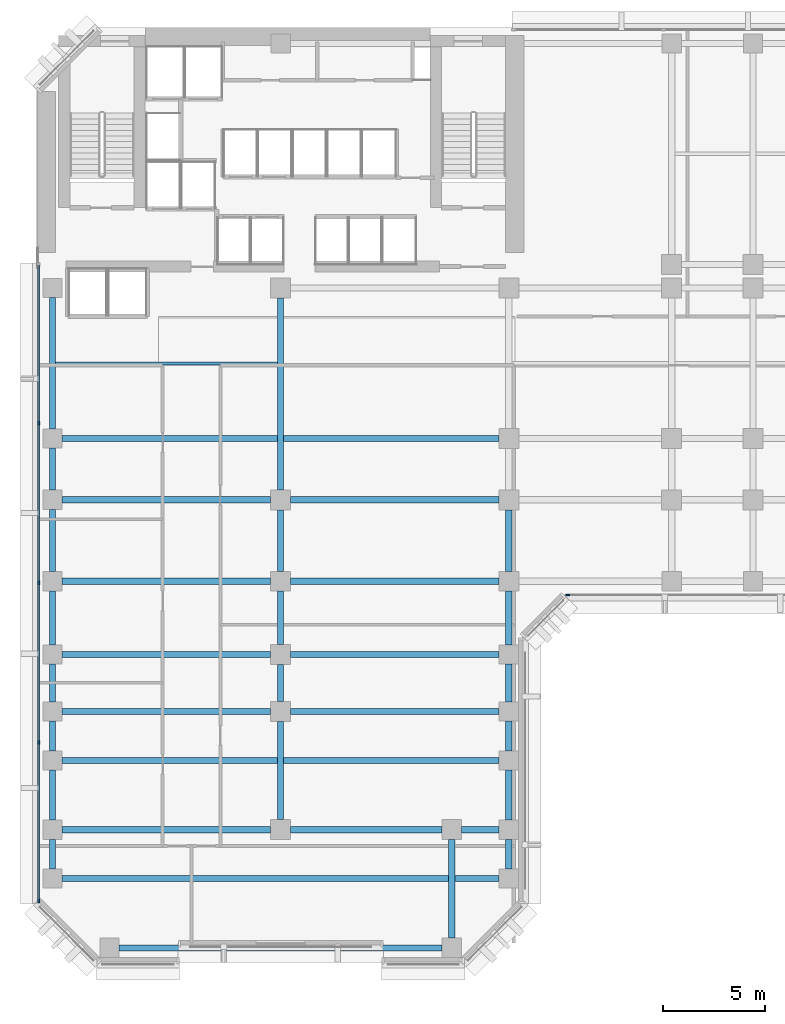
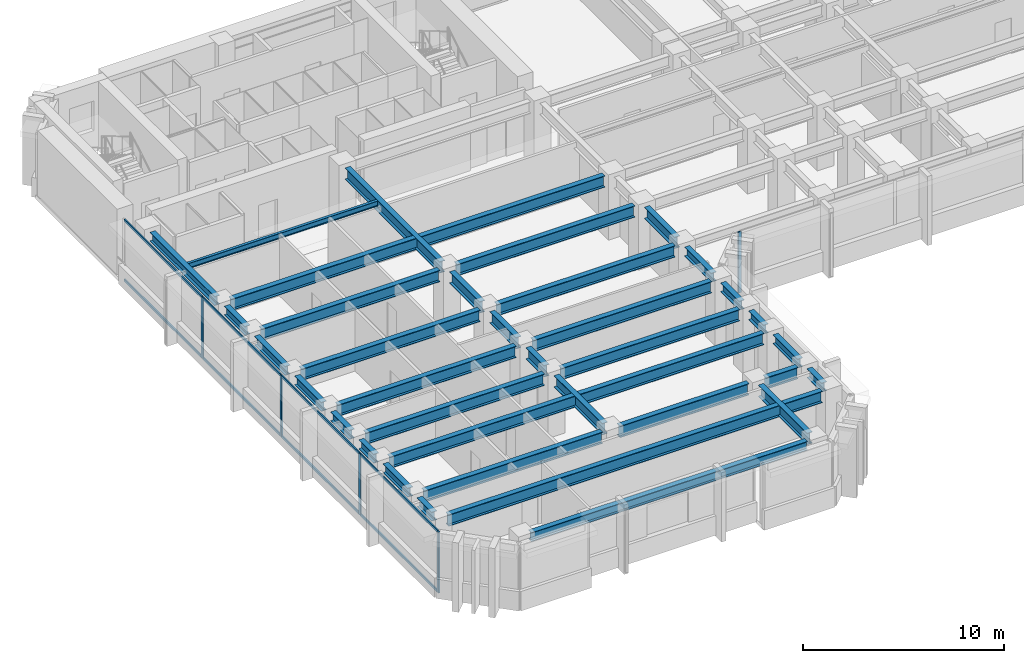
# One storey, part 2 of 13: 36 beams, 13 members, 2 elements without a shape of their own.
"""IFC4 building model written with IfcOpenShell, lengths in metres."""

from ifc_helpers import new_model, si_unit, direction, frame, origin, origin_2d, place, context, subcontext, project, spatial, rectangle, i_section, extrude, material, layer, layer_set, material_profile, profile_set, type_object, element, aggregate, save


model = new_model("IFC4")

# Units and contexts
model_context = context("Model", 3, precision=1e-05, world=origin(), true_north=direction((0.0, 1.0)))
body_context = subcontext(model_context, "Body", "Model", "MODEL_VIEW")
ifc_project = project(units=[si_unit("LENGTHUNIT", "METRE"), si_unit("AREAUNIT", "SQUARE_METRE"), si_unit("VOLUMEUNIT", "CUBIC_METRE"), si_unit("PLANEANGLEUNIT", "RADIAN"), si_unit("MASSUNIT", "GRAM", prefix="KILO")], contexts=[model_context])

# Site, building, storey
site_placement = place(None, origin())
site = spatial("IfcSite", under=ifc_project, at=site_placement, CompositionType="ELEMENT")
building_placement = place(site_placement, origin())
building = spatial("IfcBuilding", under=site, at=building_placement, Name="Kefirva Bronze Tower", CompositionType="ELEMENT")
storey_placement = place(building_placement, frame((0.0, 0.0, 38.280029296875)))
storey = spatial("IfcBuildingStorey", under=building, at=storey_placement, Name="L08", CompositionType="ELEMENT", Elevation=38.280029296875)

# Curtain wall, member
ifc_material_1 = material(Name="Bronze anodised aluminium", Category="aluminium")
ifc_layer = layer(ifc_material_1, 0.199951171875, Name="Bronze anodised aluminium")
ifc_layer_set = layer_set([ifc_layer], Name="Bronze anodised aluminium")
curtain_wall_type = type_object("IfcCurtainWallType", Name="Unitised Bronze Ribbon Curtain Wall Zone 1", PredefinedType="USERDEFINED", material=ifc_layer_set)
curtain_wall_1_placement = place(storey_placement, origin())
curtain_wall_1 = element("IfcCurtainWall", 1, at=curtain_wall_1_placement, inside=storey, type_object=curtain_wall_type, Name="L08 Curtain Wall 1", ObjectType="UNITISED CURTAIN WALL", PredefinedType="USERDEFINED")
ifc_material_profile_1 = material_profile(ifc_material_1, rectangle(XDim=0.074951171875, YDim=0.179931640625, at=origin_2d()), Name="ALU 75x180")
ifc_profile_set_1 = profile_set([ifc_material_profile_1], Name="Bronze anodised aluminium")
member_type_1 = type_object("IfcMemberType", Name="Bronze Mullion 75x180", PredefinedType="MULLION", material=ifc_profile_set_1)
member_1_placement = place(storey_placement, frame((26.092529296875, 18.1201171875, 0.0), z_axis=(0.0, 0.0, 1.0), x_axis=(0.0, 1.0, 0.0)))
member_1 = element("IfcMember", 2, at=member_1_placement, type_object=member_type_1, Name="CW-01 mullion 1", PredefinedType="MULLION", context=body_context, shape_type="SweptSolid", body=[
    extrude(rectangle(XDim=0.074951171875, YDim=0.179931640625, at=origin_2d()), origin(), (0.0, 0.0, 1.0), 3.7099609375),
])
aggregate(curtain_wall_1, [member_1])

# Curtain wall, members
curtain_wall_2_placement = place(storey_placement, origin())
curtain_wall_2 = element("IfcCurtainWall", 3, at=curtain_wall_2_placement, inside=storey, type_object=curtain_wall_type, Name="L08 Curtain Wall 4", ObjectType="UNITISED CURTAIN WALL", PredefinedType="USERDEFINED")
member_2_placement = place(storey_placement, frame((0.1201171875, 26.56005859375, 0.0), z_axis=(0.0, 0.0, 1.0), x_axis=(1.0, 0.0, 0.0)))
member_2 = element("IfcMember", 4, at=member_2_placement, type_object=member_type_1, Name="CW-01 mullion 2", PredefinedType="MULLION", context=body_context, shape_type="SweptSolid", body=[
    extrude(rectangle(XDim=0.074951171875, YDim=0.179931640625, at=origin_2d()), origin(), (0.0, 0.0, 1.0), 3.7099609375),
])
member_3_placement = place(storey_placement, frame((0.1201171875, 18.72509765625, 0.0), z_axis=(0.0, 0.0, 1.0), x_axis=(1.0, 0.0, 0.0)))
member_3 = element("IfcMember", 5, at=member_3_placement, type_object=member_type_1, Name="CW-01 mullion 3", PredefinedType="MULLION", context=body_context, shape_type="SweptSolid", body=[
    extrude(rectangle(XDim=0.074951171875, YDim=0.179931640625, at=origin_2d()), origin(), (0.0, 0.0, 1.0), 3.7099609375),
])
member_4_placement = place(storey_placement, frame((0.1201171875, 10.889892578125, 0.0), z_axis=(0.0, 0.0, 1.0), x_axis=(1.0, 0.0, 0.0)))
member_4 = element("IfcMember", 6, at=member_4_placement, type_object=member_type_1, Name="CW-01 mullion 4", PredefinedType="MULLION", context=body_context, shape_type="SweptSolid", body=[
    extrude(rectangle(XDim=0.074951171875, YDim=0.179931640625, at=origin_2d()), origin(), (0.0, 0.0, 1.0), 3.7099609375),
])
member_5_placement = place(storey_placement, frame((0.1201171875, 3.092529296875, 0.0), z_axis=(0.0, 0.0, 1.0), x_axis=(1.0, 0.0, 0.0)))
member_5 = element("IfcMember", 7, at=member_5_placement, type_object=member_type_1, Name="CW-01 mullion 5", PredefinedType="MULLION", context=body_context, shape_type="SweptSolid", body=[
    extrude(rectangle(XDim=0.074951171875, YDim=0.179931640625, at=origin_2d()), origin(), (0.0, 0.0, 1.0), 3.7099609375),
])
ifc_material_profile_2 = material_profile(ifc_material_1, rectangle(XDim=0.074951171875, YDim=0.14990234375, at=origin_2d()), Name="ALU 75x150")
ifc_profile_set_2 = profile_set([ifc_material_profile_2], Name="Bronze anodised aluminium")
member_type_2 = type_object("IfcMemberType", Name="Bronze Transom 75x150", PredefinedType="USERDEFINED", material=ifc_profile_set_2)
member_6_placement = place(storey_placement, frame((0.1201171875, 34.320068359375, 0.037353515625), z_axis=(0.0, -1.0, 0.0), x_axis=(1.0, 0.0, 0.0)))
member_6 = element("IfcMember", 8, at=member_6_placement, type_object=member_type_2, Name="CW-01 transom 1.1", ObjectType="TRANSOM", PredefinedType="USERDEFINED", context=body_context, shape_type="SweptSolid", body=[
    extrude(rectangle(XDim=0.074951171875, YDim=0.14990234375, at=origin_2d()), origin(), (0.0, 0.0, 1.0), 7.72265625),
])
member_7_placement = place(storey_placement, frame((0.1201171875, 34.320068359375, 3.67236328125), z_axis=(0.0, -1.0, 0.0), x_axis=(1.0, 0.0, 0.0)))
member_7 = element("IfcMember", 9, at=member_7_placement, type_object=member_type_2, Name="CW-01 transom 1.2", ObjectType="TRANSOM", PredefinedType="USERDEFINED", context=body_context, shape_type="SweptSolid", body=[
    extrude(rectangle(XDim=0.074951171875, YDim=0.14990234375, at=origin_2d()), origin(), (0.0, 0.0, 1.0), 7.72265625),
])
member_8_placement = place(storey_placement, frame((0.1201171875, 26.5224609375, 0.037353515625), z_axis=(0.0, -1.0, 0.0), x_axis=(1.0, 0.0, 0.0)))
member_8 = element("IfcMember", 10, at=member_8_placement, type_object=member_type_2, Name="CW-01 transom 2.1", ObjectType="TRANSOM", PredefinedType="USERDEFINED", context=body_context, shape_type="SweptSolid", body=[
    extrude(rectangle(XDim=0.074951171875, YDim=0.14990234375, at=origin_2d()), origin(), (0.0, 0.0, 1.0), 7.760009765625),
])
member_9_placement = place(storey_placement, frame((0.1201171875, 26.5224609375, 3.67236328125), z_axis=(0.0, -1.0, 0.0), x_axis=(1.0, 0.0, 0.0)))
member_9 = element("IfcMember", 11, at=member_9_placement, type_object=member_type_2, Name="CW-01 transom 2.2", ObjectType="TRANSOM", PredefinedType="USERDEFINED", context=body_context, shape_type="SweptSolid", body=[
    extrude(rectangle(XDim=0.074951171875, YDim=0.14990234375, at=origin_2d()), origin(), (0.0, 0.0, 1.0), 7.760009765625),
])
member_10_placement = place(storey_placement, frame((0.1201171875, 18.6875, 0.037353515625), z_axis=(0.0, -1.0, 0.0), x_axis=(1.0, 0.0, 0.0)))
member_10 = element("IfcMember", 12, at=member_10_placement, type_object=member_type_2, Name="CW-01 transom 3.1", ObjectType="TRANSOM", PredefinedType="USERDEFINED", context=body_context, shape_type="SweptSolid", body=[
    extrude(rectangle(XDim=0.074951171875, YDim=0.14990234375, at=origin_2d()), origin(), (0.0, 0.0, 1.0), 7.760009765625),
])
member_11_placement = place(storey_placement, frame((0.1201171875, 18.6875, 3.67236328125), z_axis=(0.0, -1.0, 0.0), x_axis=(1.0, 0.0, 0.0)))
member_11 = element("IfcMember", 13, at=member_11_placement, type_object=member_type_2, Name="CW-01 transom 3.2", ObjectType="TRANSOM", PredefinedType="USERDEFINED", context=body_context, shape_type="SweptSolid", body=[
    extrude(rectangle(XDim=0.074951171875, YDim=0.14990234375, at=origin_2d()), origin(), (0.0, 0.0, 1.0), 7.760009765625),
])
member_12_placement = place(storey_placement, frame((0.1201171875, 10.8525390625, 0.037353515625), z_axis=(0.0, -1.0, 0.0), x_axis=(1.0, 0.0, 0.0)))
member_12 = element("IfcMember", 14, at=member_12_placement, type_object=member_type_2, Name="CW-01 transom 4.1", ObjectType="TRANSOM", PredefinedType="USERDEFINED", context=body_context, shape_type="SweptSolid", body=[
    extrude(rectangle(XDim=0.074951171875, YDim=0.14990234375, at=origin_2d()), origin(), (0.0, 0.0, 1.0), 7.72265625),
])
member_13_placement = place(storey_placement, frame((0.1201171875, 10.8525390625, 3.67236328125), z_axis=(0.0, -1.0, 0.0), x_axis=(1.0, 0.0, 0.0)))
member_13 = element("IfcMember", 15, at=member_13_placement, type_object=member_type_2, Name="CW-01 transom 4.2", ObjectType="TRANSOM", PredefinedType="USERDEFINED", context=body_context, shape_type="SweptSolid", body=[
    extrude(rectangle(XDim=0.074951171875, YDim=0.14990234375, at=origin_2d()), origin(), (0.0, 0.0, 1.0), 7.72265625),
])
aggregate(curtain_wall_2, [member_2, member_3, member_4, member_5, member_6, member_7, member_8, member_9, member_10, member_11, member_12, member_13])

# Beams
ifc_material_2 = material(Name="Steel S355", Category="steel")
ifc_material_profile_3 = material_profile(ifc_material_2, i_section(OverallWidth=0.159912109375, OverallDepth=0.330078125, WebThickness=0.007568359375, FlangeThickness=0.011474609375, at=origin_2d()), Name="IPE 330")
ifc_profile_set_3 = profile_set([ifc_material_profile_3], Name="Steel S355")
beam_type_1 = type_object("IfcBeamType", Name="Steel Floor Joist IPE 330", PredefinedType="JOIST", material=ifc_profile_set_3)
beam_1_placement = place(storey_placement, frame((0.949951171875, 29.489990234375, 3.544921875), z_axis=(1.0, 0.0, 0.0), x_axis=(0.0, 1.0, 0.0)))
element("IfcBeam", 16, at=beam_1_placement, inside=storey, type_object=beam_type_1, Name="L08 JST-L08-0-294", PredefinedType="JOIST", context=body_context, shape_type="SweptSolid", body=[
    extrude(i_section(OverallWidth=0.159912109375, OverallDepth=0.330078125, WebThickness=0.007568359375, FlangeThickness=0.011474609375, at=origin_2d()), origin(), (0.0, 0.0, 1.0), 10.900146484375),
])
ifc_material_profile_4 = material_profile(ifc_material_2, i_section(OverallWidth=0.300048828125, OverallDepth=0.699951171875, WebThickness=0.01708984375, FlangeThickness=0.031982421875, at=origin_2d()), Name="HEB 700")
ifc_profile_set_4 = profile_set([ifc_material_profile_4], Name="Steel S355")
beam_type_2 = type_object("IfcBeamType", Name="Steel Girder HEB 700", PredefinedType="USERDEFINED", material=ifc_profile_set_4)
beam_2_placement = place(storey_placement, frame((1.27001953125, 4.199951171875, 3.35986328125), z_axis=(1.0, 0.0, 0.0), x_axis=(0.0, 1.0, 0.0)))
element("IfcBeam", 17, at=beam_2_placement, inside=storey, type_object=beam_type_2, Name="L08 BM-L08-EW-0-42", ObjectType="GIRDER", PredefinedType="USERDEFINED", context=body_context, shape_type="SweptSolid", body=[
    extrude(i_section(OverallWidth=0.300048828125, OverallDepth=0.699951171875, WebThickness=0.01708984375, FlangeThickness=0.031982421875, at=origin_2d()), origin(), (0.0, 0.0, 1.0), 21.4599609375),
])
beam_3_placement = place(storey_placement, frame((1.27001953125, 6.60009765625, 3.35986328125), z_axis=(1.0, 0.0, 0.0), x_axis=(0.0, 1.0, 0.0)))
element("IfcBeam", 18, at=beam_3_placement, inside=storey, type_object=beam_type_2, Name="L08 BM-L08-EW-0-66", ObjectType="GIRDER", PredefinedType="USERDEFINED", context=body_context, shape_type="SweptSolid", body=[
    extrude(i_section(OverallWidth=0.300048828125, OverallDepth=0.699951171875, WebThickness=0.01708984375, FlangeThickness=0.031982421875, at=origin_2d()), origin(), (0.0, 0.0, 1.0), 10.239990234375),
])
beam_4_placement = place(storey_placement, frame((12.489990234375, 6.60009765625, 3.35986328125), z_axis=(1.0, 0.0, 0.0), x_axis=(0.0, 1.0, 0.0)))
element("IfcBeam", 19, at=beam_4_placement, inside=storey, type_object=beam_type_2, Name="L08 BM-L08-EW-12-66", ObjectType="GIRDER", PredefinedType="USERDEFINED", context=body_context, shape_type="SweptSolid", body=[
    extrude(i_section(OverallWidth=0.300048828125, OverallDepth=0.699951171875, WebThickness=0.01708984375, FlangeThickness=0.031982421875, at=origin_2d()), origin(), (0.0, 0.0, 1.0), 7.419921875),
])
beam_5_placement = place(storey_placement, frame((20.889892578125, 6.60009765625, 3.35986328125), z_axis=(1.0, 0.0, 0.0), x_axis=(0.0, 1.0, 0.0)))
element("IfcBeam", 20, at=beam_5_placement, inside=storey, type_object=beam_type_2, Name="L08 BM-L08-EW-20-66", ObjectType="GIRDER", PredefinedType="USERDEFINED", context=body_context, shape_type="SweptSolid", body=[
    extrude(i_section(OverallWidth=0.300048828125, OverallDepth=0.699951171875, WebThickness=0.01708984375, FlangeThickness=0.031982421875, at=origin_2d()), origin(), (0.0, 0.0, 1.0), 1.840087890625),
])
beam_6_placement = place(storey_placement, frame((1.27001953125, 10.0, 3.35986328125), z_axis=(1.0, 0.0, 0.0), x_axis=(0.0, 1.0, 0.0)))
element("IfcBeam", 21, at=beam_6_placement, inside=storey, type_object=beam_type_2, Name="L08 BM-L08-EW-0-100", ObjectType="GIRDER", PredefinedType="USERDEFINED", context=body_context, shape_type="SweptSolid", body=[
    extrude(i_section(OverallWidth=0.300048828125, OverallDepth=0.699951171875, WebThickness=0.01708984375, FlangeThickness=0.031982421875, at=origin_2d()), origin(), (0.0, 0.0, 1.0), 21.4599609375),
])
for number, where, z_axis, x_axis, name in (
    (22, (1.27001953125, 12.39990234375, 3.35986328125), (1.0, 0.0, 0.0), (0.0, 1.0, 0.0), "L08 BM-L08-EW-0-124"),
    (23, (12.489990234375, 12.39990234375, 3.35986328125), (1.0, 0.0, 0.0), (0.0, 1.0, 0.0), "L08 BM-L08-EW-12-124"),
    (24, (1.27001953125, 15.199951171875, 3.35986328125), (1.0, 0.0, 0.0), (0.0, 1.0, 0.0), "L08 BM-L08-EW-0-152"),
    (25, (12.489990234375, 15.199951171875, 3.35986328125), (1.0, 0.0, 0.0), (0.0, 1.0, 0.0), "L08 BM-L08-EW-12-152"),
    (26, (1.27001953125, 18.800048828125, 3.35986328125), (1.0, 0.0, 0.0), (0.0, 1.0, 0.0), "L08 BM-L08-EW-0-188"),
):
    element("IfcBeam", number, at=place(storey_placement, frame(where, z_axis=z_axis, x_axis=x_axis)), inside=storey, type_object=beam_type_2, Name=name, ObjectType="GIRDER", PredefinedType="USERDEFINED", context=body_context, shape_type="SweptSolid", body=[
        extrude(i_section(OverallWidth=0.300048828125, OverallDepth=0.699951171875, WebThickness=0.01708984375, FlangeThickness=0.031982421875, at=origin_2d()), origin(), (0.0, 0.0, 1.0), 10.239990234375),
    ])
beam_7_placement = place(storey_placement, frame((12.489990234375, 18.800048828125, 3.35986328125), z_axis=(1.0, 0.0, 0.0), x_axis=(0.0, 1.0, 0.0)))
element("IfcBeam", 27, at=beam_7_placement, inside=storey, type_object=beam_type_2, Name="L08 BM-L08-EW-12-188", ObjectType="GIRDER", PredefinedType="USERDEFINED", context=body_context, shape_type="SweptSolid", body=[
    extrude(i_section(OverallWidth=0.300048828125, OverallDepth=0.699951171875, WebThickness=0.01708984375, FlangeThickness=0.031982421875, at=origin_2d()), origin(), (0.0, 0.0, 1.0), 10.219970703125),
])
beam_8_placement = place(storey_placement, frame((1.27001953125, 22.800048828125, 3.35986328125), z_axis=(1.0, 0.0, 0.0), x_axis=(0.0, 1.0, 0.0)))
element("IfcBeam", 28, at=beam_8_placement, inside=storey, type_object=beam_type_2, Name="L08 BM-L08-EW-0-228", ObjectType="GIRDER", PredefinedType="USERDEFINED", context=body_context, shape_type="SweptSolid", body=[
    extrude(i_section(OverallWidth=0.300048828125, OverallDepth=0.699951171875, WebThickness=0.01708984375, FlangeThickness=0.031982421875, at=origin_2d()), origin(), (0.0, 0.0, 1.0), 10.239990234375),
])
beam_9_placement = place(storey_placement, frame((12.489990234375, 22.800048828125, 3.35986328125), z_axis=(1.0, 0.0, 0.0), x_axis=(0.0, 1.0, 0.0)))
element("IfcBeam", 29, at=beam_9_placement, inside=storey, type_object=beam_type_2, Name="L08 BM-L08-EW-12-228", ObjectType="GIRDER", PredefinedType="USERDEFINED", context=body_context, shape_type="SweptSolid", body=[
    extrude(i_section(OverallWidth=0.300048828125, OverallDepth=0.699951171875, WebThickness=0.01708984375, FlangeThickness=0.031982421875, at=origin_2d()), origin(), (0.0, 0.0, 1.0), 10.219970703125),
])
beam_10_placement = place(storey_placement, frame((1.27001953125, 25.800048828125, 3.35986328125), z_axis=(1.0, 0.0, 0.0), x_axis=(0.0, 1.0, 0.0)))
element("IfcBeam", 30, at=beam_10_placement, inside=storey, type_object=beam_type_2, Name="L08 BM-L08-EW-0-258", ObjectType="GIRDER", PredefinedType="USERDEFINED", context=body_context, shape_type="SweptSolid", body=[
    extrude(i_section(OverallWidth=0.300048828125, OverallDepth=0.699951171875, WebThickness=0.01708984375, FlangeThickness=0.031982421875, at=origin_2d()), origin(), (0.0, 0.0, 1.0), 21.43994140625),
])
beam_11_placement = place(storey_placement, frame((12.0, 7.090087890625, 3.35986328125), z_axis=(0.0, 1.0, 0.0), x_axis=(-1.0, 0.0, 0.0)))
element("IfcBeam", 31, at=beam_11_placement, inside=storey, type_object=beam_type_2, Name="L08 BM-L08-NS-120-6", ObjectType="GIRDER", PredefinedType="USERDEFINED", context=body_context, shape_type="SweptSolid", body=[
    extrude(i_section(OverallWidth=0.300048828125, OverallDepth=0.699951171875, WebThickness=0.01708984375, FlangeThickness=0.031982421875, at=origin_2d()), origin(), (0.0, 0.0, 1.0), 4.81982421875),
])
beam_12_placement = place(storey_placement, frame((12.0, 12.889892578125, 3.35986328125), z_axis=(0.0, 1.0, 0.0), x_axis=(-1.0, 0.0, 0.0)))
element("IfcBeam", 32, at=beam_12_placement, inside=storey, type_object=beam_type_2, Name="L08 BM-L08-NS-120-12", ObjectType="GIRDER", PredefinedType="USERDEFINED", context=body_context, shape_type="SweptSolid", body=[
    extrude(i_section(OverallWidth=0.300048828125, OverallDepth=0.699951171875, WebThickness=0.01708984375, FlangeThickness=0.031982421875, at=origin_2d()), origin(), (0.0, 0.0, 1.0), 1.820068359375),
])
beam_13_placement = place(storey_placement, frame((12.0, 15.68994140625, 3.35986328125), z_axis=(0.0, 1.0, 0.0), x_axis=(-1.0, 0.0, 0.0)))
element("IfcBeam", 33, at=beam_13_placement, inside=storey, type_object=beam_type_2, Name="L08 BM-L08-NS-120-15", ObjectType="GIRDER", PredefinedType="USERDEFINED", context=body_context, shape_type="SweptSolid", body=[
    extrude(i_section(OverallWidth=0.300048828125, OverallDepth=0.699951171875, WebThickness=0.01708984375, FlangeThickness=0.031982421875, at=origin_2d()), origin(), (0.0, 0.0, 1.0), 2.6201171875),
])
beam_14_placement = place(storey_placement, frame((12.0, 19.2900390625, 3.35986328125), z_axis=(0.0, 1.0, 0.0), x_axis=(-1.0, 0.0, 0.0)))
element("IfcBeam", 34, at=beam_14_placement, inside=storey, type_object=beam_type_2, Name="L08 BM-L08-NS-120-18", ObjectType="GIRDER", PredefinedType="USERDEFINED", context=body_context, shape_type="SweptSolid", body=[
    extrude(i_section(OverallWidth=0.300048828125, OverallDepth=0.699951171875, WebThickness=0.01708984375, FlangeThickness=0.031982421875, at=origin_2d()), origin(), (0.0, 0.0, 1.0), 3.02001953125),
])
beam_15_placement = place(storey_placement, frame((12.0, 23.2900390625, 3.35986328125), z_axis=(0.0, 1.0, 0.0), x_axis=(-1.0, 0.0, 0.0)))
element("IfcBeam", 35, at=beam_15_placement, inside=storey, type_object=beam_type_2, Name="L08 BM-L08-NS-120-22", ObjectType="GIRDER", PredefinedType="USERDEFINED", context=body_context, shape_type="SweptSolid", body=[
    extrude(i_section(OverallWidth=0.300048828125, OverallDepth=0.699951171875, WebThickness=0.01708984375, FlangeThickness=0.031982421875, at=origin_2d()), origin(), (0.0, 0.0, 1.0), 9.419921875),
])
beam_16_placement = place(storey_placement, frame((20.39990234375, 1.27001953125, 3.35986328125), z_axis=(0.0, 1.0, 0.0), x_axis=(-1.0, 0.0, 0.0)))
element("IfcBeam", 36, at=beam_16_placement, inside=storey, type_object=beam_type_2, Name="L08 BM-L08-NS-204-0", ObjectType="GIRDER", PredefinedType="USERDEFINED", context=body_context, shape_type="SweptSolid", body=[
    extrude(i_section(OverallWidth=0.300048828125, OverallDepth=0.699951171875, WebThickness=0.01708984375, FlangeThickness=0.031982421875, at=origin_2d()), origin(), (0.0, 0.0, 1.0), 4.840087890625),
])
beam_17_placement = place(storey_placement, frame((23.199951171875, 19.2900390625, 3.35986328125), z_axis=(0.0, 1.0, 0.0), x_axis=(-1.0, 0.0, 0.0)))
element("IfcBeam", 37, at=beam_17_placement, inside=storey, type_object=beam_type_2, Name="L08 BM-L08-NS-232-18", ObjectType="GIRDER", PredefinedType="USERDEFINED", context=body_context, shape_type="SweptSolid", body=[
    extrude(i_section(OverallWidth=0.300048828125, OverallDepth=0.699951171875, WebThickness=0.01708984375, FlangeThickness=0.031982421875, at=origin_2d()), origin(), (0.0, 0.0, 1.0), 3.02001953125),
])
ifc_material_profile_5 = material_profile(ifc_material_2, i_section(OverallWidth=0.300048828125, OverallDepth=0.550048828125, WebThickness=0.014892578125, FlangeThickness=0.029052734375, at=origin_2d()), Name="HEB 550")
ifc_profile_set_5 = profile_set([ifc_material_profile_5], Name="Steel S355")
beam_type_3 = type_object("IfcBeamType", Name="Steel Spandrel HEB 550 Ext", PredefinedType="SPANDREL", material=ifc_profile_set_5)
beam_18_placement = place(storey_placement, frame((4.070068359375, 0.800048828125, 3.43505859375), z_axis=(1.0, 0.0, 0.0), x_axis=(0.0, 1.0, 0.0)))
element("IfcBeam", 38, at=beam_18_placement, inside=storey, type_object=beam_type_3, Name="L08 BM-L08-EW-3-8", PredefinedType="SPANDREL", context=body_context, shape_type="SweptSolid", body=[
    extrude(i_section(OverallWidth=0.300048828125, OverallDepth=0.550048828125, WebThickness=0.014892578125, FlangeThickness=0.029052734375, at=origin_2d()), origin(), (0.0, 0.0, 1.0), 15.85986328125),
])
beam_19_placement = place(storey_placement, frame((0.800048828125, 4.669921875, 3.43505859375), z_axis=(0.0, 1.0, 0.0), x_axis=(-1.0, 0.0, 0.0)))
element("IfcBeam", 39, at=beam_19_placement, inside=storey, type_object=beam_type_3, Name="L08 BM-L08-NS-8-4", PredefinedType="SPANDREL", context=body_context, shape_type="SweptSolid", body=[
    extrude(i_section(OverallWidth=0.300048828125, OverallDepth=0.550048828125, WebThickness=0.014892578125, FlangeThickness=0.029052734375, at=origin_2d()), origin(), (0.0, 0.0, 1.0), 1.4599609375),
])
beam_20_placement = place(storey_placement, frame((0.800048828125, 7.070068359375, 3.43505859375), z_axis=(0.0, 1.0, 0.0), x_axis=(-1.0, 0.0, 0.0)))
element("IfcBeam", 40, at=beam_20_placement, inside=storey, type_object=beam_type_3, Name="L08 BM-L08-NS-8-6", PredefinedType="SPANDREL", context=body_context, shape_type="SweptSolid", body=[
    extrude(i_section(OverallWidth=0.300048828125, OverallDepth=0.550048828125, WebThickness=0.014892578125, FlangeThickness=0.029052734375, at=origin_2d()), origin(), (0.0, 0.0, 1.0), 2.4599609375),
])
beam_21_placement = place(storey_placement, frame((0.800048828125, 10.469970703125, 3.43505859375), z_axis=(0.0, 1.0, 0.0), x_axis=(-1.0, 0.0, 0.0)))
element("IfcBeam", 41, at=beam_21_placement, inside=storey, type_object=beam_type_3, Name="L08 BM-L08-NS-8-10", PredefinedType="SPANDREL", context=body_context, shape_type="SweptSolid", body=[
    extrude(i_section(OverallWidth=0.300048828125, OverallDepth=0.550048828125, WebThickness=0.014892578125, FlangeThickness=0.029052734375, at=origin_2d()), origin(), (0.0, 0.0, 1.0), 1.4599609375),
])
beam_22_placement = place(storey_placement, frame((0.800048828125, 12.8701171875, 3.43505859375), z_axis=(0.0, 1.0, 0.0), x_axis=(-1.0, 0.0, 0.0)))
element("IfcBeam", 42, at=beam_22_placement, inside=storey, type_object=beam_type_3, Name="L08 BM-L08-NS-8-12", PredefinedType="SPANDREL", context=body_context, shape_type="SweptSolid", body=[
    extrude(i_section(OverallWidth=0.300048828125, OverallDepth=0.550048828125, WebThickness=0.014892578125, FlangeThickness=0.029052734375, at=origin_2d()), origin(), (0.0, 0.0, 1.0), 1.85986328125),
])
beam_23_placement = place(storey_placement, frame((0.800048828125, 15.669921875, 3.43505859375), z_axis=(0.0, 1.0, 0.0), x_axis=(-1.0, 0.0, 0.0)))
element("IfcBeam", 43, at=beam_23_placement, inside=storey, type_object=beam_type_3, Name="L08 BM-L08-NS-8-15", PredefinedType="SPANDREL", context=body_context, shape_type="SweptSolid", body=[
    extrude(i_section(OverallWidth=0.300048828125, OverallDepth=0.550048828125, WebThickness=0.014892578125, FlangeThickness=0.029052734375, at=origin_2d()), origin(), (0.0, 0.0, 1.0), 2.66015625),
])
beam_24_placement = place(storey_placement, frame((0.800048828125, 19.27001953125, 3.43505859375), z_axis=(0.0, 1.0, 0.0), x_axis=(-1.0, 0.0, 0.0)))
element("IfcBeam", 44, at=beam_24_placement, inside=storey, type_object=beam_type_3, Name="L08 BM-L08-NS-8-18", PredefinedType="SPANDREL", context=body_context, shape_type="SweptSolid", body=[
    extrude(i_section(OverallWidth=0.300048828125, OverallDepth=0.550048828125, WebThickness=0.014892578125, FlangeThickness=0.029052734375, at=origin_2d()), origin(), (0.0, 0.0, 1.0), 3.06005859375),
])
beam_25_placement = place(storey_placement, frame((0.800048828125, 23.27001953125, 3.43505859375), z_axis=(0.0, 1.0, 0.0), x_axis=(-1.0, 0.0, 0.0)))
element("IfcBeam", 45, at=beam_25_placement, inside=storey, type_object=beam_type_3, Name="L08 BM-L08-NS-8-22", PredefinedType="SPANDREL", context=body_context, shape_type="SweptSolid", body=[
    extrude(i_section(OverallWidth=0.300048828125, OverallDepth=0.550048828125, WebThickness=0.014892578125, FlangeThickness=0.029052734375, at=origin_2d()), origin(), (0.0, 0.0, 1.0), 2.06005859375),
])
beam_26_placement = place(storey_placement, frame((0.800048828125, 26.27001953125, 3.43505859375), z_axis=(0.0, 1.0, 0.0), x_axis=(-1.0, 0.0, 0.0)))
element("IfcBeam", 46, at=beam_26_placement, inside=storey, type_object=beam_type_3, Name="L08 BM-L08-NS-8-25", PredefinedType="SPANDREL", context=body_context, shape_type="SweptSolid", body=[
    extrude(i_section(OverallWidth=0.300048828125, OverallDepth=0.550048828125, WebThickness=0.014892578125, FlangeThickness=0.029052734375, at=origin_2d()), origin(), (0.0, 0.0, 1.0), 6.4599609375),
])
beam_27_placement = place(storey_placement, frame((23.199951171875, 4.669921875, 3.43505859375), z_axis=(0.0, 1.0, 0.0), x_axis=(-1.0, 0.0, 0.0)))
element("IfcBeam", 47, at=beam_27_placement, inside=storey, type_object=beam_type_3, Name="L08 BM-L08-NS-232-4", PredefinedType="SPANDREL", context=body_context, shape_type="SweptSolid", body=[
    extrude(i_section(OverallWidth=0.300048828125, OverallDepth=0.550048828125, WebThickness=0.014892578125, FlangeThickness=0.029052734375, at=origin_2d()), origin(), (0.0, 0.0, 1.0), 1.4599609375),
])
beam_28_placement = place(storey_placement, frame((23.199951171875, 7.070068359375, 3.43505859375), z_axis=(0.0, 1.0, 0.0), x_axis=(-1.0, 0.0, 0.0)))
element("IfcBeam", 48, at=beam_28_placement, inside=storey, type_object=beam_type_3, Name="L08 BM-L08-NS-232-6", PredefinedType="SPANDREL", context=body_context, shape_type="SweptSolid", body=[
    extrude(i_section(OverallWidth=0.300048828125, OverallDepth=0.550048828125, WebThickness=0.014892578125, FlangeThickness=0.029052734375, at=origin_2d()), origin(), (0.0, 0.0, 1.0), 2.4599609375),
])
beam_29_placement = place(storey_placement, frame((23.199951171875, 10.469970703125, 3.43505859375), z_axis=(0.0, 1.0, 0.0), x_axis=(-1.0, 0.0, 0.0)))
element("IfcBeam", 49, at=beam_29_placement, inside=storey, type_object=beam_type_3, Name="L08 BM-L08-NS-232-10", PredefinedType="SPANDREL", context=body_context, shape_type="SweptSolid", body=[
    extrude(i_section(OverallWidth=0.300048828125, OverallDepth=0.550048828125, WebThickness=0.014892578125, FlangeThickness=0.029052734375, at=origin_2d()), origin(), (0.0, 0.0, 1.0), 1.4599609375),
])
beam_30_placement = place(storey_placement, frame((23.199951171875, 12.8701171875, 3.43505859375), z_axis=(0.0, 1.0, 0.0), x_axis=(-1.0, 0.0, 0.0)))
element("IfcBeam", 50, at=beam_30_placement, inside=storey, type_object=beam_type_3, Name="L08 BM-L08-NS-232-12", PredefinedType="SPANDREL", context=body_context, shape_type="SweptSolid", body=[
    extrude(i_section(OverallWidth=0.300048828125, OverallDepth=0.550048828125, WebThickness=0.014892578125, FlangeThickness=0.029052734375, at=origin_2d()), origin(), (0.0, 0.0, 1.0), 1.85986328125),
])
beam_31_placement = place(storey_placement, frame((23.199951171875, 15.669921875, 3.43505859375), z_axis=(0.0, 1.0, 0.0), x_axis=(-1.0, 0.0, 0.0)))
element("IfcBeam", 51, at=beam_31_placement, inside=storey, type_object=beam_type_3, Name="L08 BM-L08-NS-232-15", PredefinedType="SPANDREL", context=body_context, shape_type="SweptSolid", body=[
    extrude(i_section(OverallWidth=0.300048828125, OverallDepth=0.550048828125, WebThickness=0.014892578125, FlangeThickness=0.029052734375, at=origin_2d()), origin(), (0.0, 0.0, 1.0), 2.64013671875),
])

save(model, "model.ifc")
